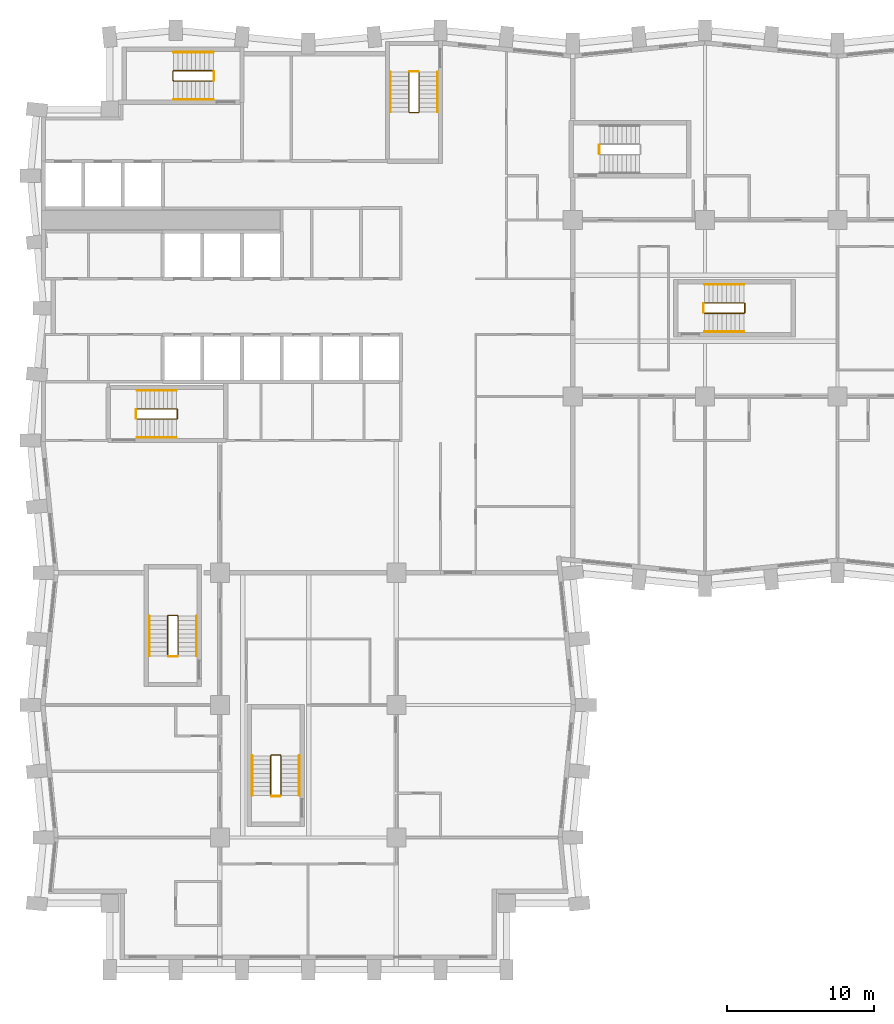
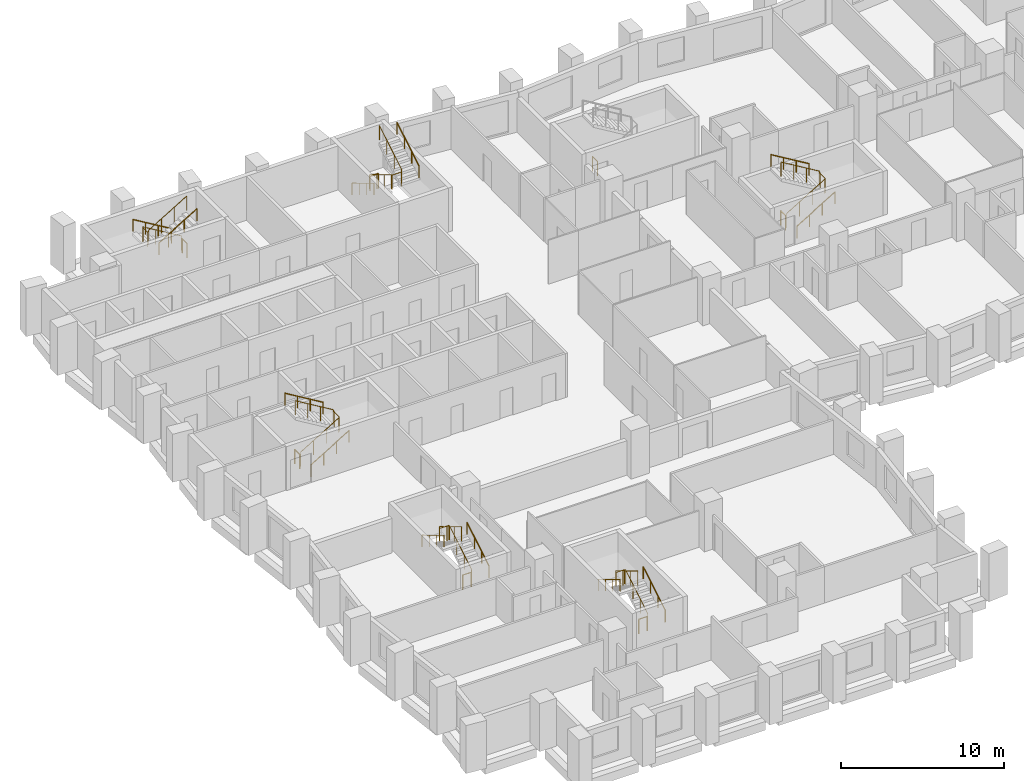
# One storey, part 12 of 13: 25 railings.
"""IFC4 building model written with IfcOpenShell, lengths in metres."""

from ifc_helpers import new_model, si_unit, direction, frame, origin, origin_2d, place, context, subcontext, project, spatial, circle, extrude, material, type_object, element, save


model = new_model("IFC4")

# Units and contexts
model_context = context("Model", 3, precision=1e-05, world=origin(), true_north=direction((0.0, 1.0)))
body_context = subcontext(model_context, "Body", "Model", "MODEL_VIEW")
ifc_project = project(units=[si_unit("LENGTHUNIT", "METRE"), si_unit("AREAUNIT", "SQUARE_METRE"), si_unit("VOLUMEUNIT", "CUBIC_METRE"), si_unit("PLANEANGLEUNIT", "RADIAN"), si_unit("MASSUNIT", "GRAM", prefix="KILO")], contexts=[model_context])

# Site, building, storey
site_placement = place(None, origin())
site = spatial("IfcSite", under=ifc_project, at=site_placement, CompositionType="ELEMENT")
building_placement = place(site_placement, origin())
building = spatial("IfcBuilding", under=site, at=building_placement, Name="Brondeck Convention Tower", CompositionType="ELEMENT")
storey_placement = place(building_placement, frame((0.0, 0.0, 69.89990234375)))
storey = spatial("IfcBuildingStorey", under=building, at=storey_placement, Name="L15", CompositionType="ELEMENT", Elevation=69.89990234375)

# Railings
ifc_material = material(Name="Steel S355", Category="steel")
railing_type_1 = type_object("IfcRailingType", Name="Stair guard 1100", PredefinedType="GUARDRAIL", material=ifc_material)
railing_1_placement = place(storey_placement, frame((6.35009765625, 37.449951171875, 0.18017578125)))
element("IfcRailing", 1, at=railing_1_placement, inside=storey, type_object=railing_type_1, Name="L15 ST-1 stair guard 1", PredefinedType="GUARDRAIL", context=body_context, shape_type="SweptSolid", body=[
    extrude(circle(Radius=0.02392578125, at=origin_2d()), frame((0.0, 0.0, 1.076171875), z_axis=(0.857506608807, 0.0, 0.514472949583), x_axis=(0.0, 1.0, 0.0)), (0.0, 0.0, 1.0), 3.148681640625),
    extrude(circle(Radius=0.02392578125, at=origin_2d()), frame((2.699951171875, 0.0, 2.69580078125), z_axis=(0.707106781187, 0.707106781187, 0.0), x_axis=(-0.707106781187, 0.707106781187, 0.0)), (0.0, 0.0, 1.0), 0.07080078125),
    extrude(circle(Radius=0.02392578125, at=origin_2d()), frame((2.75, 0.050048828125, 2.69580078125), z_axis=(0.0, 1.0, 0.0), x_axis=(-1.0, 0.0, 0.0)), (0.0, 0.0, 1.0), 0.60009765625),
    extrude(circle(Radius=0.02392578125, at=origin_2d()), frame((2.75, 0.650146484375, 2.69580078125), z_axis=(-0.258932105505, 0.257669022063, 0.930892496375), x_axis=(-0.705375805398, -0.708833529934, 0.0)), (0.0, 0.0, 1.0), 0.193359375),
    extrude(circle(Radius=0.02392578125, at=origin_2d()), frame((2.699951171875, 0.699951171875, 2.8759765625), z_axis=(-0.857472400752, 0.0, 0.514529962148), x_axis=(0.0, -1.0, 0.0)), (0.0, 0.0, 1.0), 3.148681640625),
    extrude(circle(Radius=0.02099609375, at=origin_2d()), origin(), (0.0, 0.0, 1.0), 1.052001953125),
    extrude(circle(Radius=0.02099609375, at=origin_2d()), frame((0.89990234375, 0.0, 0.5400390625)), (0.0, 0.0, 1.0), 1.052001953125),
    extrude(circle(Radius=0.02099609375, at=origin_2d()), frame((1.800048828125, 0.0, 1.079833984375)), (0.0, 0.0, 1.0), 1.052001953125),
    extrude(circle(Radius=0.02099609375, at=origin_2d()), frame((2.699951171875, 0.0, 1.619873046875)), (0.0, 0.0, 1.0), 1.052001953125),
    extrude(circle(Radius=0.02099609375, at=origin_2d()), frame((2.75, 0.050048828125, 1.619873046875)), (0.0, 0.0, 1.0), 1.052001953125),
    extrude(circle(Radius=0.02099609375, at=origin_2d()), frame((2.75, 0.650146484375, 1.619873046875)), (0.0, 0.0, 1.0), 1.052001953125),
    extrude(circle(Radius=0.02099609375, at=origin_2d()), frame((2.699951171875, 0.699951171875, 1.7998046875)), (0.0, 0.0, 1.0), 1.052001953125),
    extrude(circle(Radius=0.02099609375, at=origin_2d()), frame((1.800048828125, 0.699951171875, 2.33984375)), (0.0, 0.0, 1.0), 1.052001953125),
    extrude(circle(Radius=0.02099609375, at=origin_2d()), frame((0.89990234375, 0.699951171875, 2.8798828125)), (0.0, 0.0, 1.0), 1.052001953125),
    extrude(circle(Radius=0.02099609375, at=origin_2d()), frame((0.0, 0.699951171875, 3.419921875)), (0.0, 0.0, 1.0), 1.052001953125),
])
railing_2_placement = place(storey_placement, frame((6.300048828125, 37.5, 0.0)))
element("IfcRailing", 2, at=railing_2_placement, inside=storey, type_object=railing_type_1, Name="L15 ST-1 stair guard 2", PredefinedType="GUARDRAIL", context=body_context, shape_type="SweptSolid", body=[
    extrude(circle(Radius=0.02392578125, at=origin_2d()), frame((0.0, 0.0, 1.076171875), z_axis=(0.0, 1.0, 0.0), x_axis=(-1.0, 0.0, 0.0)), (0.0, 0.0, 1.0), 0.60009765625),
    extrude(circle(Radius=0.02099609375, at=origin_2d()), origin(), (0.0, 0.0, 1.0), 1.052001953125),
    extrude(circle(Radius=0.02099609375, at=origin_2d()), frame((0.0, 0.60009765625, 0.0)), (0.0, 0.0, 1.0), 1.052001953125),
])
railing_3_placement = place(storey_placement, frame((24.85009765625, 61.050048828125, 0.18017578125)))
element("IfcRailing", 3, at=railing_3_placement, inside=storey, type_object=railing_type_1, Name="L15 ST-2 stair guard 1", PredefinedType="GUARDRAIL", context=body_context, shape_type="SweptSolid", body=[
    extrude(circle(Radius=0.02392578125, at=origin_2d()), frame((0.0, 0.0, 1.076171875), z_axis=(0.0, -0.857506608807, 0.514472949583), x_axis=(1.0, 0.0, 0.0)), (0.0, 0.0, 1.0), 3.148681640625),
    extrude(circle(Radius=0.02392578125, at=origin_2d()), frame((0.0, -2.699951171875, 2.69580078125), z_axis=(0.705375805398, -0.708833529934, 0.0), x_axis=(0.708833529934, 0.705375805398, 0.0)), (0.0, 0.0, 1.0), 0.070556640625),
    extrude(circle(Radius=0.02392578125, at=origin_2d()), frame((0.0498046875, -2.75, 2.69580078125), z_axis=(1.0, 0.0, 0.0), x_axis=(0.0, 1.0, 0.0)), (0.0, 0.0, 1.0), 0.60009765625),
    extrude(circle(Radius=0.02392578125, at=origin_2d()), frame((0.64990234375, -2.75, 2.69580078125), z_axis=(0.258847668887, 0.258847668887, 0.930588936439), x_axis=(-0.707106781187, 0.707106781187, 0.0)), (0.0, 0.0, 1.0), 0.193359375),
    extrude(circle(Radius=0.02392578125, at=origin_2d()), frame((0.699951171875, -2.699951171875, 2.8759765625), z_axis=(0.0, 0.857472400752, 0.514529962148), x_axis=(-1.0, 0.0, 0.0)), (0.0, 0.0, 1.0), 3.148681640625),
    extrude(circle(Radius=0.02099609375, at=origin_2d()), origin(), (0.0, 0.0, 1.0), 1.052001953125),
    extrude(circle(Radius=0.02099609375, at=origin_2d()), frame((0.0, -0.89990234375, 0.5400390625)), (0.0, 0.0, 1.0), 1.052001953125),
    extrude(circle(Radius=0.02099609375, at=origin_2d()), frame((0.0, -1.800048828125, 1.079833984375)), (0.0, 0.0, 1.0), 1.052001953125),
    extrude(circle(Radius=0.02099609375, at=origin_2d()), frame((0.0, -2.699951171875, 1.619873046875)), (0.0, 0.0, 1.0), 1.052001953125),
    extrude(circle(Radius=0.02099609375, at=origin_2d()), frame((0.0498046875, -2.75, 1.619873046875)), (0.0, 0.0, 1.0), 1.052001953125),
    extrude(circle(Radius=0.02099609375, at=origin_2d()), frame((0.64990234375, -2.75, 1.619873046875)), (0.0, 0.0, 1.0), 1.052001953125),
    extrude(circle(Radius=0.02099609375, at=origin_2d()), frame((0.699951171875, -2.699951171875, 1.7998046875)), (0.0, 0.0, 1.0), 1.052001953125),
    extrude(circle(Radius=0.02099609375, at=origin_2d()), frame((0.699951171875, -1.800048828125, 2.33984375)), (0.0, 0.0, 1.0), 1.052001953125),
    extrude(circle(Radius=0.02099609375, at=origin_2d()), frame((0.699951171875, -0.89990234375, 2.8798828125)), (0.0, 0.0, 1.0), 1.052001953125),
    extrude(circle(Radius=0.02099609375, at=origin_2d()), frame((0.699951171875, 0.0, 3.419921875)), (0.0, 0.0, 1.0), 1.052001953125),
])
railing_4_placement = place(storey_placement, frame((24.89990234375, 61.10009765625, 0.0)))
element("IfcRailing", 4, at=railing_4_placement, inside=storey, type_object=railing_type_1, Name="L15 ST-2 stair guard 2", PredefinedType="GUARDRAIL", context=body_context, shape_type="SweptSolid", body=[
    extrude(circle(Radius=0.02392578125, at=origin_2d()), frame((0.0, 0.0, 1.076171875), z_axis=(1.0, 0.0, 0.0), x_axis=(0.0, 1.0, 0.0)), (0.0, 0.0, 1.0), 0.60009765625),
    extrude(circle(Radius=0.02099609375, at=origin_2d()), origin(), (0.0, 0.0, 1.0), 1.052001953125),
    extrude(circle(Radius=0.02099609375, at=origin_2d()), frame((0.60009765625, 0.0, 0.0)), (0.0, 0.0, 1.0), 1.052001953125),
])
railing_5_placement = place(storey_placement, frame((11.550048828125, 61.14990234375, 0.18017578125)))
element("IfcRailing", 5, at=railing_5_placement, inside=storey, type_object=railing_type_1, Name="L15 ST-3 stair guard 1", PredefinedType="GUARDRAIL", context=body_context, shape_type="SweptSolid", body=[
    extrude(circle(Radius=0.02392578125, at=origin_2d()), frame((0.0, 0.0, 1.076171875), z_axis=(-0.857506608807, 0.0, 0.514472949583), x_axis=(0.0, -1.0, 0.0)), (0.0, 0.0, 1.0), 3.148681640625),
    extrude(circle(Radius=0.02392578125, at=origin_2d()), frame((-2.699951171875, 0.0, 2.69580078125), z_axis=(-0.708833529934, -0.705375805398, 0.0), x_axis=(0.705375805398, -0.708833529934, 0.0)), (0.0, 0.0, 1.0), 0.070556640625),
    extrude(circle(Radius=0.02392578125, at=origin_2d()), frame((-2.75, -0.0498046875, 2.69580078125), z_axis=(0.0, -1.0, 0.0), x_axis=(1.0, 0.0, 0.0)), (0.0, 0.0, 1.0), 0.60009765625),
    extrude(circle(Radius=0.02392578125, at=origin_2d()), frame((-2.75, -0.64990234375, 2.69580078125), z_axis=(0.258847668887, -0.258847668887, 0.930588936439), x_axis=(0.707106781187, 0.707106781187, 0.0)), (0.0, 0.0, 1.0), 0.193359375),
    extrude(circle(Radius=0.02392578125, at=origin_2d()), frame((-2.699951171875, -0.699951171875, 2.8759765625), z_axis=(0.857472400752, 0.0, 0.514529962148), x_axis=(0.0, 1.0, 0.0)), (0.0, 0.0, 1.0), 3.148681640625),
    extrude(circle(Radius=0.02099609375, at=origin_2d()), origin(), (0.0, 0.0, 1.0), 1.052001953125),
    extrude(circle(Radius=0.02099609375, at=origin_2d()), frame((-0.89990234375, 0.0, 0.5400390625)), (0.0, 0.0, 1.0), 1.052001953125),
    extrude(circle(Radius=0.02099609375, at=origin_2d()), frame((-1.800048828125, 0.0, 1.079833984375)), (0.0, 0.0, 1.0), 1.052001953125),
    extrude(circle(Radius=0.02099609375, at=origin_2d()), frame((-2.699951171875, 0.0, 1.619873046875)), (0.0, 0.0, 1.0), 1.052001953125),
    extrude(circle(Radius=0.02099609375, at=origin_2d()), frame((-2.75, -0.0498046875, 1.619873046875)), (0.0, 0.0, 1.0), 1.052001953125),
    extrude(circle(Radius=0.02099609375, at=origin_2d()), frame((-2.75, -0.64990234375, 1.619873046875)), (0.0, 0.0, 1.0), 1.052001953125),
    extrude(circle(Radius=0.02099609375, at=origin_2d()), frame((-2.699951171875, -0.699951171875, 1.7998046875)), (0.0, 0.0, 1.0), 1.052001953125),
    extrude(circle(Radius=0.02099609375, at=origin_2d()), frame((-1.800048828125, -0.699951171875, 2.33984375)), (0.0, 0.0, 1.0), 1.052001953125),
    extrude(circle(Radius=0.02099609375, at=origin_2d()), frame((-0.89990234375, -0.699951171875, 2.8798828125)), (0.0, 0.0, 1.0), 1.052001953125),
    extrude(circle(Radius=0.02099609375, at=origin_2d()), frame((0.0, -0.699951171875, 3.419921875)), (0.0, 0.0, 1.0), 1.052001953125),
])
railing_6_placement = place(storey_placement, frame((11.60009765625, 61.10009765625, 0.0)))
element("IfcRailing", 6, at=railing_6_placement, inside=storey, type_object=railing_type_1, Name="L15 ST-3 stair guard 2", PredefinedType="GUARDRAIL", context=body_context, shape_type="SweptSolid", body=[
    extrude(circle(Radius=0.02392578125, at=origin_2d()), frame((0.0, 0.0, 1.076171875), z_axis=(0.0, -1.0, 0.0), x_axis=(1.0, 0.0, 0.0)), (0.0, 0.0, 1.0), 0.60009765625),
    extrude(circle(Radius=0.02099609375, at=origin_2d()), origin(), (0.0, 0.0, 1.0), 1.052001953125),
    extrude(circle(Radius=0.02099609375, at=origin_2d()), frame((0.0, -0.60009765625, 0.0)), (0.0, 0.0, 1.0), 1.052001953125),
])
railing_7_placement = place(storey_placement, frame((37.800048828125, 55.5, 0.0)))
element("IfcRailing", 7, at=railing_7_placement, inside=storey, type_object=railing_type_1, Name="L15 ST-AE stair guard 2", PredefinedType="GUARDRAIL", context=body_context, shape_type="SweptSolid", body=[
    extrude(circle(Radius=0.02392578125, at=origin_2d()), frame((0.0, 0.0, 1.076171875), z_axis=(0.0, 1.0, 0.0), x_axis=(-1.0, 0.0, 0.0)), (0.0, 0.0, 1.0), 0.60009765625),
    extrude(circle(Radius=0.02099609375, at=origin_2d()), origin(), (0.0, 0.0, 1.0), 1.052001953125),
    extrude(circle(Radius=0.02099609375, at=origin_2d()), frame((0.0, 0.60009765625, 0.0)), (0.0, 0.0, 1.0), 1.052001953125),
])
railing_8_placement = place(storey_placement, frame((9.14990234375, 21.35009765625, 0.18017578125)))
element("IfcRailing", 8, at=railing_8_placement, inside=storey, type_object=railing_type_1, Name="L15 ST-BE stair guard 1", PredefinedType="GUARDRAIL", context=body_context, shape_type="SweptSolid", body=[
    extrude(circle(Radius=0.02392578125, at=origin_2d()), frame((0.0, 0.0, 1.076171875), z_axis=(0.0, 0.857506608807, 0.514472949583), x_axis=(-1.0, 0.0, 0.0)), (0.0, 0.0, 1.0), 3.148681640625),
    extrude(circle(Radius=0.02392578125, at=origin_2d()), frame((0.0, 2.699951171875, 2.69580078125), z_axis=(-0.705375805398, 0.708833529934, 0.0), x_axis=(-0.708833529934, -0.705375805398, 0.0)), (0.0, 0.0, 1.0), 0.070556640625),
    extrude(circle(Radius=0.02392578125, at=origin_2d()), frame((-0.0498046875, 2.75, 2.69580078125), z_axis=(-1.0, 0.0, 0.0), x_axis=(0.0, -1.0, 0.0)), (0.0, 0.0, 1.0), 0.60009765625),
    extrude(circle(Radius=0.02392578125, at=origin_2d()), frame((-0.64990234375, 2.75, 2.69580078125), z_axis=(-0.258847668887, -0.258847668887, 0.930588936439), x_axis=(0.707106781187, -0.707106781187, 0.0)), (0.0, 0.0, 1.0), 0.193359375),
    extrude(circle(Radius=0.02392578125, at=origin_2d()), frame((-0.699951171875, 2.699951171875, 2.8759765625), z_axis=(0.0, -0.857472400752, 0.514529962148), x_axis=(1.0, 0.0, 0.0)), (0.0, 0.0, 1.0), 3.148681640625),
    extrude(circle(Radius=0.02099609375, at=origin_2d()), origin(), (0.0, 0.0, 1.0), 1.052001953125),
    extrude(circle(Radius=0.02099609375, at=origin_2d()), frame((0.0, 0.89990234375, 0.5400390625)), (0.0, 0.0, 1.0), 1.052001953125),
    extrude(circle(Radius=0.02099609375, at=origin_2d()), frame((0.0, 1.800048828125, 1.079833984375)), (0.0, 0.0, 1.0), 1.052001953125),
    extrude(circle(Radius=0.02099609375, at=origin_2d()), frame((0.0, 2.699951171875, 1.619873046875)), (0.0, 0.0, 1.0), 1.052001953125),
    extrude(circle(Radius=0.02099609375, at=origin_2d()), frame((-0.0498046875, 2.75, 1.619873046875)), (0.0, 0.0, 1.0), 1.052001953125),
    extrude(circle(Radius=0.02099609375, at=origin_2d()), frame((-0.64990234375, 2.75, 1.619873046875)), (0.0, 0.0, 1.0), 1.052001953125),
    extrude(circle(Radius=0.02099609375, at=origin_2d()), frame((-0.699951171875, 2.699951171875, 1.7998046875)), (0.0, 0.0, 1.0), 1.052001953125),
    extrude(circle(Radius=0.02099609375, at=origin_2d()), frame((-0.699951171875, 1.800048828125, 2.33984375)), (0.0, 0.0, 1.0), 1.052001953125),
    extrude(circle(Radius=0.02099609375, at=origin_2d()), frame((-0.699951171875, 0.89990234375, 2.8798828125)), (0.0, 0.0, 1.0), 1.052001953125),
    extrude(circle(Radius=0.02099609375, at=origin_2d()), frame((-0.699951171875, 0.0, 3.419921875)), (0.0, 0.0, 1.0), 1.052001953125),
])
railing_9_placement = place(storey_placement, frame((9.10009765625, 21.300048828125, 0.0)))
element("IfcRailing", 9, at=railing_9_placement, inside=storey, type_object=railing_type_1, Name="L15 ST-BE stair guard 2", PredefinedType="GUARDRAIL", context=body_context, shape_type="SweptSolid", body=[
    extrude(circle(Radius=0.02392578125, at=origin_2d()), frame((0.0, 0.0, 1.076171875), z_axis=(-1.0, 0.0, 0.0), x_axis=(0.0, -1.0, 0.0)), (0.0, 0.0, 1.0), 0.60009765625),
    extrude(circle(Radius=0.02099609375, at=origin_2d()), origin(), (0.0, 0.0, 1.0), 1.052001953125),
    extrude(circle(Radius=0.02099609375, at=origin_2d()), frame((-0.60009765625, 0.0, 0.0)), (0.0, 0.0, 1.0), 1.052001953125),
])
railing_10_placement = place(storey_placement, frame((44.949951171875, 44.64990234375, 0.18017578125)))
element("IfcRailing", 10, at=railing_10_placement, inside=storey, type_object=railing_type_1, Name="L15 ST-AF stair guard 1", PredefinedType="GUARDRAIL", context=body_context, shape_type="SweptSolid", body=[
    extrude(circle(Radius=0.02392578125, at=origin_2d()), frame((0.0, 0.0, 1.076171875), z_axis=(0.857506608807, 0.0, 0.514472949583), x_axis=(0.0, 1.0, 0.0)), (0.0, 0.0, 1.0), 3.148681640625),
    extrude(circle(Radius=0.02392578125, at=origin_2d()), frame((2.699951171875, 0.0, 2.69580078125), z_axis=(0.707106781187, 0.707106781187, 0.0), x_axis=(-0.707106781187, 0.707106781187, 0.0)), (0.0, 0.0, 1.0), 0.07080078125),
    extrude(circle(Radius=0.02392578125, at=origin_2d()), frame((2.75, 0.050048828125, 2.69580078125), z_axis=(0.0, 1.0, 0.0), x_axis=(-1.0, 0.0, 0.0)), (0.0, 0.0, 1.0), 0.60009765625),
    extrude(circle(Radius=0.02392578125, at=origin_2d()), frame((2.75, 0.650146484375, 2.69580078125), z_axis=(-0.258847668887, 0.258847668887, 0.930588936439), x_axis=(-0.707106781187, -0.707106781187, 0.0)), (0.0, 0.0, 1.0), 0.193359375),
    extrude(circle(Radius=0.02392578125, at=origin_2d()), frame((2.699951171875, 0.7001953125, 2.8759765625), z_axis=(-0.857472400752, 0.0, 0.514529962148), x_axis=(0.0, -1.0, 0.0)), (0.0, 0.0, 1.0), 3.148681640625),
    extrude(circle(Radius=0.02099609375, at=origin_2d()), origin(), (0.0, 0.0, 1.0), 1.052001953125),
    extrude(circle(Radius=0.02099609375, at=origin_2d()), frame((0.89990234375, 0.0, 0.5400390625)), (0.0, 0.0, 1.0), 1.052001953125),
    extrude(circle(Radius=0.02099609375, at=origin_2d()), frame((1.800048828125, 0.0, 1.079833984375)), (0.0, 0.0, 1.0), 1.052001953125),
    extrude(circle(Radius=0.02099609375, at=origin_2d()), frame((2.699951171875, 0.0, 1.619873046875)), (0.0, 0.0, 1.0), 1.052001953125),
    extrude(circle(Radius=0.02099609375, at=origin_2d()), frame((2.75, 0.050048828125, 1.619873046875)), (0.0, 0.0, 1.0), 1.052001953125),
    extrude(circle(Radius=0.02099609375, at=origin_2d()), frame((2.75, 0.650146484375, 1.619873046875)), (0.0, 0.0, 1.0), 1.052001953125),
    extrude(circle(Radius=0.02099609375, at=origin_2d()), frame((2.699951171875, 0.7001953125, 1.7998046875)), (0.0, 0.0, 1.0), 1.052001953125),
    extrude(circle(Radius=0.02099609375, at=origin_2d()), frame((1.800048828125, 0.7001953125, 2.33984375)), (0.0, 0.0, 1.0), 1.052001953125),
    extrude(circle(Radius=0.02099609375, at=origin_2d()), frame((0.89990234375, 0.7001953125, 2.8798828125)), (0.0, 0.0, 1.0), 1.052001953125),
    extrude(circle(Radius=0.02099609375, at=origin_2d()), frame((0.0, 0.7001953125, 3.419921875)), (0.0, 0.0, 1.0), 1.052001953125),
])
railing_11_placement = place(storey_placement, frame((44.89990234375, 44.699951171875, 0.0)))
element("IfcRailing", 11, at=railing_11_placement, inside=storey, type_object=railing_type_1, Name="L15 ST-AF stair guard 2", PredefinedType="GUARDRAIL", context=body_context, shape_type="SweptSolid", body=[
    extrude(circle(Radius=0.02392578125, at=origin_2d()), frame((0.0, 0.0, 1.076171875), z_axis=(0.0, 1.0, 0.0), x_axis=(-1.0, 0.0, 0.0)), (0.0, 0.0, 1.0), 0.60009765625),
    extrude(circle(Radius=0.02099609375, at=origin_2d()), origin(), (0.0, 0.0, 1.0), 1.052001953125),
    extrude(circle(Radius=0.02099609375, at=origin_2d()), frame((0.0, 0.60009765625, 0.0)), (0.0, 0.0, 1.0), 1.052001953125),
])
railing_12_placement = place(storey_placement, frame((16.14990234375, 11.85009765625, 0.18017578125)))
element("IfcRailing", 12, at=railing_12_placement, inside=storey, type_object=railing_type_1, Name="L15 ST-BF stair guard 1", PredefinedType="GUARDRAIL", context=body_context, shape_type="SweptSolid", body=[
    extrude(circle(Radius=0.02392578125, at=origin_2d()), frame((0.0, 0.0, 1.076171875), z_axis=(0.0, 0.857506608807, 0.514472949583), x_axis=(-1.0, 0.0, 0.0)), (0.0, 0.0, 1.0), 3.148681640625),
    extrude(circle(Radius=0.02392578125, at=origin_2d()), frame((0.0, 2.699951171875, 2.69580078125), z_axis=(-0.705375805398, 0.708833529934, 0.0), x_axis=(-0.708833529934, -0.705375805398, 0.0)), (0.0, 0.0, 1.0), 0.070556640625),
    extrude(circle(Radius=0.02392578125, at=origin_2d()), frame((-0.0498046875, 2.75, 2.69580078125), z_axis=(-1.0, 0.0, 0.0), x_axis=(0.0, -1.0, 0.0)), (0.0, 0.0, 1.0), 0.60009765625),
    extrude(circle(Radius=0.02392578125, at=origin_2d()), frame((-0.64990234375, 2.75, 2.69580078125), z_axis=(-0.258847668887, -0.258847668887, 0.930588936439), x_axis=(0.707106781187, -0.707106781187, 0.0)), (0.0, 0.0, 1.0), 0.193359375),
    extrude(circle(Radius=0.02392578125, at=origin_2d()), frame((-0.699951171875, 2.699951171875, 2.8759765625), z_axis=(0.0, -0.857472400752, 0.514529962148), x_axis=(1.0, 0.0, 0.0)), (0.0, 0.0, 1.0), 3.148681640625),
    extrude(circle(Radius=0.02099609375, at=origin_2d()), origin(), (0.0, 0.0, 1.0), 1.052001953125),
    extrude(circle(Radius=0.02099609375, at=origin_2d()), frame((0.0, 0.89990234375, 0.5400390625)), (0.0, 0.0, 1.0), 1.052001953125),
    extrude(circle(Radius=0.02099609375, at=origin_2d()), frame((0.0, 1.800048828125, 1.079833984375)), (0.0, 0.0, 1.0), 1.052001953125),
    extrude(circle(Radius=0.02099609375, at=origin_2d()), frame((0.0, 2.699951171875, 1.619873046875)), (0.0, 0.0, 1.0), 1.052001953125),
    extrude(circle(Radius=0.02099609375, at=origin_2d()), frame((-0.0498046875, 2.75, 1.619873046875)), (0.0, 0.0, 1.0), 1.052001953125),
    extrude(circle(Radius=0.02099609375, at=origin_2d()), frame((-0.64990234375, 2.75, 1.619873046875)), (0.0, 0.0, 1.0), 1.052001953125),
    extrude(circle(Radius=0.02099609375, at=origin_2d()), frame((-0.699951171875, 2.699951171875, 1.7998046875)), (0.0, 0.0, 1.0), 1.052001953125),
    extrude(circle(Radius=0.02099609375, at=origin_2d()), frame((-0.699951171875, 1.800048828125, 2.33984375)), (0.0, 0.0, 1.0), 1.052001953125),
    extrude(circle(Radius=0.02099609375, at=origin_2d()), frame((-0.699951171875, 0.89990234375, 2.8798828125)), (0.0, 0.0, 1.0), 1.052001953125),
    extrude(circle(Radius=0.02099609375, at=origin_2d()), frame((-0.699951171875, 0.0, 3.419921875)), (0.0, 0.0, 1.0), 1.052001953125),
])
railing_13_placement = place(storey_placement, frame((16.10009765625, 11.800048828125, 0.0)))
element("IfcRailing", 13, at=railing_13_placement, inside=storey, type_object=railing_type_1, Name="L15 ST-BF stair guard 2", PredefinedType="GUARDRAIL", context=body_context, shape_type="SweptSolid", body=[
    extrude(circle(Radius=0.02392578125, at=origin_2d()), frame((0.0, 0.0, 1.076171875), z_axis=(-1.0, 0.0, 0.0), x_axis=(0.0, -1.0, 0.0)), (0.0, 0.0, 1.0), 0.60009765625),
    extrude(circle(Radius=0.02099609375, at=origin_2d()), origin(), (0.0, 0.0, 1.0), 1.052001953125),
    extrude(circle(Radius=0.02099609375, at=origin_2d()), frame((-0.60009765625, 0.0, 0.0)), (0.0, 0.0, 1.0), 1.052001953125),
])
railing_type_2 = type_object("IfcRailingType", Name="Stair handrail", PredefinedType="HANDRAIL", material=ifc_material)
railing_14_placement = place(storey_placement, frame((6.35009765625, 36.199951171875, 0.18017578125)))
element("IfcRailing", 14, at=railing_14_placement, inside=storey, type_object=railing_type_2, Name="L15 ST-1 stair handrail 1", PredefinedType="HANDRAIL", context=body_context, shape_type="SweptSolid", body=[
    extrude(circle(Radius=0.02392578125, at=origin_2d()), frame((0.0, 0.0, 0.8759765625), z_axis=(0.857506608807, 0.0, 0.514472949583), x_axis=(0.0, 1.0, 0.0)), (0.0, 0.0, 1.0), 3.148681640625),
    extrude(circle(Radius=0.02099609375, at=origin_2d()), origin(), (0.0, 0.0, 1.0), 0.851806640625),
    extrude(circle(Radius=0.02099609375, at=origin_2d()), frame((0.89990234375, 0.0, 0.5400390625)), (0.0, 0.0, 1.0), 0.851806640625),
    extrude(circle(Radius=0.02099609375, at=origin_2d()), frame((1.800048828125, 0.0, 1.079833984375)), (0.0, 0.0, 1.0), 0.851806640625),
    extrude(circle(Radius=0.02099609375, at=origin_2d()), frame((2.699951171875, 0.0, 1.619873046875)), (0.0, 0.0, 1.0), 0.851806640625),
])
railing_15_placement = place(storey_placement, frame((9.050048828125, 39.39990234375, 1.97998046875)))
element("IfcRailing", 15, at=railing_15_placement, inside=storey, type_object=railing_type_2, Name="L15 ST-1 stair handrail 2", PredefinedType="HANDRAIL", context=body_context, shape_type="SweptSolid", body=[
    extrude(circle(Radius=0.02392578125, at=origin_2d()), frame((0.0, 0.0, 0.8759765625), z_axis=(-0.857472400752, 0.0, 0.514529962148), x_axis=(0.0, -1.0, 0.0)), (0.0, 0.0, 1.0), 3.148681640625),
    extrude(circle(Radius=0.02099609375, at=origin_2d()), origin(), (0.0, 0.0, 1.0), 0.851806640625),
    extrude(circle(Radius=0.02099609375, at=origin_2d()), frame((-0.89990234375, 0.0, 0.5400390625)), (0.0, 0.0, 1.0), 0.851806640625),
    extrude(circle(Radius=0.02099609375, at=origin_2d()), frame((-1.800048828125, 0.0, 1.080078125)), (0.0, 0.0, 1.0), 0.851806640625),
    extrude(circle(Radius=0.02099609375, at=origin_2d()), frame((-2.699951171875, 0.0, 1.6201171875)), (0.0, 0.0, 1.0), 0.851806640625),
])
railing_16_placement = place(storey_placement, frame((23.60009765625, 61.050048828125, 0.18017578125)))
element("IfcRailing", 16, at=railing_16_placement, inside=storey, type_object=railing_type_2, Name="L15 ST-2 stair handrail 1", PredefinedType="HANDRAIL", context=body_context, shape_type="SweptSolid", body=[
    extrude(circle(Radius=0.02392578125, at=origin_2d()), frame((0.0, 0.0, 0.8759765625), z_axis=(0.0, -0.857506608807, 0.514472949583), x_axis=(1.0, 0.0, 0.0)), (0.0, 0.0, 1.0), 3.148681640625),
    extrude(circle(Radius=0.02099609375, at=origin_2d()), origin(), (0.0, 0.0, 1.0), 0.851806640625),
    extrude(circle(Radius=0.02099609375, at=origin_2d()), frame((0.0, -0.89990234375, 0.5400390625)), (0.0, 0.0, 1.0), 0.851806640625),
    extrude(circle(Radius=0.02099609375, at=origin_2d()), frame((0.0, -1.800048828125, 1.079833984375)), (0.0, 0.0, 1.0), 0.851806640625),
    extrude(circle(Radius=0.02099609375, at=origin_2d()), frame((0.0, -2.699951171875, 1.619873046875)), (0.0, 0.0, 1.0), 0.851806640625),
])
railing_17_placement = place(storey_placement, frame((26.800048828125, 58.35009765625, 1.97998046875)))
element("IfcRailing", 17, at=railing_17_placement, inside=storey, type_object=railing_type_2, Name="L15 ST-2 stair handrail 2", PredefinedType="HANDRAIL", context=body_context, shape_type="SweptSolid", body=[
    extrude(circle(Radius=0.02392578125, at=origin_2d()), frame((0.0, 0.0, 0.8759765625), z_axis=(0.0, 0.857472400752, 0.514529962148), x_axis=(-1.0, 0.0, 0.0)), (0.0, 0.0, 1.0), 3.148681640625),
    extrude(circle(Radius=0.02099609375, at=origin_2d()), origin(), (0.0, 0.0, 1.0), 0.851806640625),
    extrude(circle(Radius=0.02099609375, at=origin_2d()), frame((0.0, 0.89990234375, 0.5400390625)), (0.0, 0.0, 1.0), 0.851806640625),
    extrude(circle(Radius=0.02099609375, at=origin_2d()), frame((0.0, 1.800048828125, 1.080078125)), (0.0, 0.0, 1.0), 0.851806640625),
    extrude(circle(Radius=0.02099609375, at=origin_2d()), frame((0.0, 2.699951171875, 1.6201171875)), (0.0, 0.0, 1.0), 0.851806640625),
])
railing_18_placement = place(storey_placement, frame((11.550048828125, 62.39990234375, 0.18017578125)))
element("IfcRailing", 18, at=railing_18_placement, inside=storey, type_object=railing_type_2, Name="L15 ST-3 stair handrail 1", PredefinedType="HANDRAIL", context=body_context, shape_type="SweptSolid", body=[
    extrude(circle(Radius=0.02392578125, at=origin_2d()), frame((0.0, 0.0, 0.8759765625), z_axis=(-0.857506608807, 0.0, 0.514472949583), x_axis=(0.0, -1.0, 0.0)), (0.0, 0.0, 1.0), 3.148681640625),
    extrude(circle(Radius=0.02099609375, at=origin_2d()), origin(), (0.0, 0.0, 1.0), 0.851806640625),
    extrude(circle(Radius=0.02099609375, at=origin_2d()), frame((-0.89990234375, 0.0, 0.5400390625)), (0.0, 0.0, 1.0), 0.851806640625),
    extrude(circle(Radius=0.02099609375, at=origin_2d()), frame((-1.800048828125, 0.0, 1.079833984375)), (0.0, 0.0, 1.0), 0.851806640625),
    extrude(circle(Radius=0.02099609375, at=origin_2d()), frame((-2.699951171875, 0.0, 1.619873046875)), (0.0, 0.0, 1.0), 0.851806640625),
])
railing_19_placement = place(storey_placement, frame((8.85009765625, 59.199951171875, 1.97998046875)))
element("IfcRailing", 19, at=railing_19_placement, inside=storey, type_object=railing_type_2, Name="L15 ST-3 stair handrail 2", PredefinedType="HANDRAIL", context=body_context, shape_type="SweptSolid", body=[
    extrude(circle(Radius=0.02392578125, at=origin_2d()), frame((0.0, 0.0, 0.8759765625), z_axis=(0.857472400752, 0.0, 0.514529962148), x_axis=(0.0, 1.0, 0.0)), (0.0, 0.0, 1.0), 3.148681640625),
    extrude(circle(Radius=0.02099609375, at=origin_2d()), origin(), (0.0, 0.0, 1.0), 0.851806640625),
    extrude(circle(Radius=0.02099609375, at=origin_2d()), frame((0.89990234375, 0.0, 0.5400390625)), (0.0, 0.0, 1.0), 0.851806640625),
    extrude(circle(Radius=0.02099609375, at=origin_2d()), frame((1.800048828125, 0.0, 1.080078125)), (0.0, 0.0, 1.0), 0.851806640625),
    extrude(circle(Radius=0.02099609375, at=origin_2d()), frame((2.699951171875, 0.0, 1.6201171875)), (0.0, 0.0, 1.0), 0.851806640625),
])
railing_20_placement = place(storey_placement, frame((10.39990234375, 21.35009765625, 0.18017578125)))
element("IfcRailing", 20, at=railing_20_placement, inside=storey, type_object=railing_type_2, Name="L15 ST-BE stair handrail 1", PredefinedType="HANDRAIL", context=body_context, shape_type="SweptSolid", body=[
    extrude(circle(Radius=0.02392578125, at=origin_2d()), frame((0.0, 0.0, 0.8759765625), z_axis=(0.0, 0.857506608807, 0.514472949583), x_axis=(-1.0, 0.0, 0.0)), (0.0, 0.0, 1.0), 3.148681640625),
    extrude(circle(Radius=0.02099609375, at=origin_2d()), origin(), (0.0, 0.0, 1.0), 0.851806640625),
    extrude(circle(Radius=0.02099609375, at=origin_2d()), frame((0.0, 0.89990234375, 0.5400390625)), (0.0, 0.0, 1.0), 0.851806640625),
    extrude(circle(Radius=0.02099609375, at=origin_2d()), frame((0.0, 1.800048828125, 1.079833984375)), (0.0, 0.0, 1.0), 0.851806640625),
    extrude(circle(Radius=0.02099609375, at=origin_2d()), frame((0.0, 2.699951171875, 1.619873046875)), (0.0, 0.0, 1.0), 0.851806640625),
])
railing_21_placement = place(storey_placement, frame((7.199951171875, 24.050048828125, 1.97998046875)))
element("IfcRailing", 21, at=railing_21_placement, inside=storey, type_object=railing_type_2, Name="L15 ST-BE stair handrail 2", PredefinedType="HANDRAIL", context=body_context, shape_type="SweptSolid", body=[
    extrude(circle(Radius=0.02392578125, at=origin_2d()), frame((0.0, 0.0, 0.8759765625), z_axis=(0.0, -0.857472400752, 0.514529962148), x_axis=(1.0, 0.0, 0.0)), (0.0, 0.0, 1.0), 3.148681640625),
    extrude(circle(Radius=0.02099609375, at=origin_2d()), origin(), (0.0, 0.0, 1.0), 0.851806640625),
    extrude(circle(Radius=0.02099609375, at=origin_2d()), frame((0.0, -0.89990234375, 0.5400390625)), (0.0, 0.0, 1.0), 0.851806640625),
    extrude(circle(Radius=0.02099609375, at=origin_2d()), frame((0.0, -1.800048828125, 1.080078125)), (0.0, 0.0, 1.0), 0.851806640625),
    extrude(circle(Radius=0.02099609375, at=origin_2d()), frame((0.0, -2.699951171875, 1.6201171875)), (0.0, 0.0, 1.0), 0.851806640625),
])
railing_22_placement = place(storey_placement, frame((44.949951171875, 43.39990234375, 0.18017578125)))
element("IfcRailing", 22, at=railing_22_placement, inside=storey, type_object=railing_type_2, Name="L15 ST-AF stair handrail 1", PredefinedType="HANDRAIL", context=body_context, shape_type="SweptSolid", body=[
    extrude(circle(Radius=0.02392578125, at=origin_2d()), frame((0.0, 0.0, 0.8759765625), z_axis=(0.857506608807, 0.0, 0.514472949583), x_axis=(0.0, 1.0, 0.0)), (0.0, 0.0, 1.0), 3.148681640625),
    extrude(circle(Radius=0.02099609375, at=origin_2d()), origin(), (0.0, 0.0, 1.0), 0.851806640625),
    extrude(circle(Radius=0.02099609375, at=origin_2d()), frame((0.89990234375, 0.0, 0.5400390625)), (0.0, 0.0, 1.0), 0.851806640625),
    extrude(circle(Radius=0.02099609375, at=origin_2d()), frame((1.800048828125, 0.0, 1.079833984375)), (0.0, 0.0, 1.0), 0.851806640625),
    extrude(circle(Radius=0.02099609375, at=origin_2d()), frame((2.699951171875, 0.0, 1.619873046875)), (0.0, 0.0, 1.0), 0.851806640625),
])
railing_23_placement = place(storey_placement, frame((47.64990234375, 46.60009765625, 1.97998046875)))
element("IfcRailing", 23, at=railing_23_placement, inside=storey, type_object=railing_type_2, Name="L15 ST-AF stair handrail 2", PredefinedType="HANDRAIL", context=body_context, shape_type="SweptSolid", body=[
    extrude(circle(Radius=0.02392578125, at=origin_2d()), frame((0.0, 0.0, 0.8759765625), z_axis=(-0.857472400752, 0.0, 0.514529962148), x_axis=(0.0, -1.0, 0.0)), (0.0, 0.0, 1.0), 3.148681640625),
    extrude(circle(Radius=0.02099609375, at=origin_2d()), origin(), (0.0, 0.0, 1.0), 0.851806640625),
    extrude(circle(Radius=0.02099609375, at=origin_2d()), frame((-0.89990234375, 0.0, 0.5400390625)), (0.0, 0.0, 1.0), 0.851806640625),
    extrude(circle(Radius=0.02099609375, at=origin_2d()), frame((-1.800048828125, 0.0, 1.080078125)), (0.0, 0.0, 1.0), 0.851806640625),
    extrude(circle(Radius=0.02099609375, at=origin_2d()), frame((-2.699951171875, 0.0, 1.6201171875)), (0.0, 0.0, 1.0), 0.851806640625),
])
railing_24_placement = place(storey_placement, frame((17.39990234375, 11.85009765625, 0.18017578125)))
element("IfcRailing", 24, at=railing_24_placement, inside=storey, type_object=railing_type_2, Name="L15 ST-BF stair handrail 1", PredefinedType="HANDRAIL", context=body_context, shape_type="SweptSolid", body=[
    extrude(circle(Radius=0.02392578125, at=origin_2d()), frame((0.0, 0.0, 0.8759765625), z_axis=(0.0, 0.857506608807, 0.514472949583), x_axis=(-1.0, 0.0, 0.0)), (0.0, 0.0, 1.0), 3.148681640625),
    extrude(circle(Radius=0.02099609375, at=origin_2d()), origin(), (0.0, 0.0, 1.0), 0.851806640625),
    extrude(circle(Radius=0.02099609375, at=origin_2d()), frame((0.0, 0.89990234375, 0.5400390625)), (0.0, 0.0, 1.0), 0.851806640625),
    extrude(circle(Radius=0.02099609375, at=origin_2d()), frame((0.0, 1.800048828125, 1.079833984375)), (0.0, 0.0, 1.0), 0.851806640625),
    extrude(circle(Radius=0.02099609375, at=origin_2d()), frame((0.0, 2.699951171875, 1.619873046875)), (0.0, 0.0, 1.0), 0.851806640625),
])
railing_25_placement = place(storey_placement, frame((14.199951171875, 14.550048828125, 1.97998046875)))
element("IfcRailing", 25, at=railing_25_placement, inside=storey, type_object=railing_type_2, Name="L15 ST-BF stair handrail 2", PredefinedType="HANDRAIL", context=body_context, shape_type="SweptSolid", body=[
    extrude(circle(Radius=0.02392578125, at=origin_2d()), frame((0.0, 0.0, 0.8759765625), z_axis=(0.0, -0.857472400752, 0.514529962148), x_axis=(1.0, 0.0, 0.0)), (0.0, 0.0, 1.0), 3.148681640625),
    extrude(circle(Radius=0.02099609375, at=origin_2d()), origin(), (0.0, 0.0, 1.0), 0.851806640625),
    extrude(circle(Radius=0.02099609375, at=origin_2d()), frame((0.0, -0.89990234375, 0.5400390625)), (0.0, 0.0, 1.0), 0.851806640625),
    extrude(circle(Radius=0.02099609375, at=origin_2d()), frame((0.0, -1.800048828125, 1.080078125)), (0.0, 0.0, 1.0), 0.851806640625),
    extrude(circle(Radius=0.02099609375, at=origin_2d()), frame((0.0, -2.699951171875, 1.6201171875)), (0.0, 0.0, 1.0), 0.851806640625),
])

save(model, "model.ifc")
